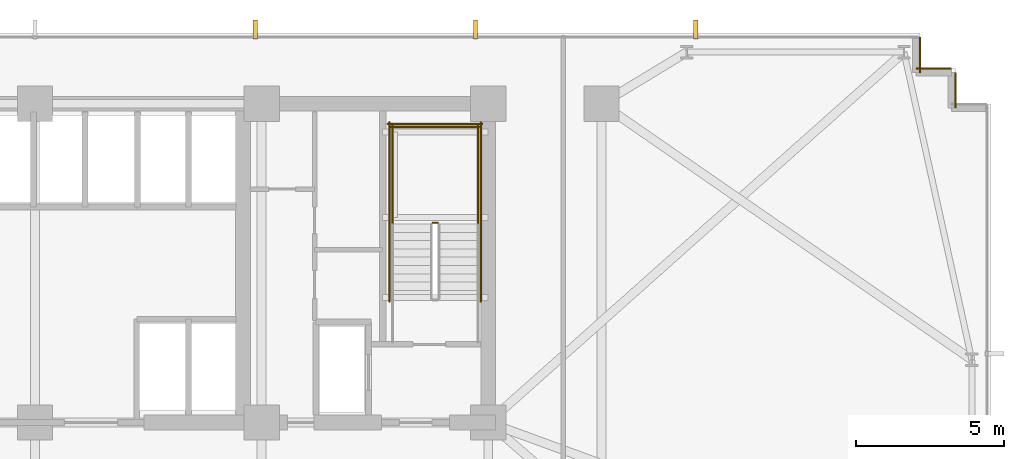
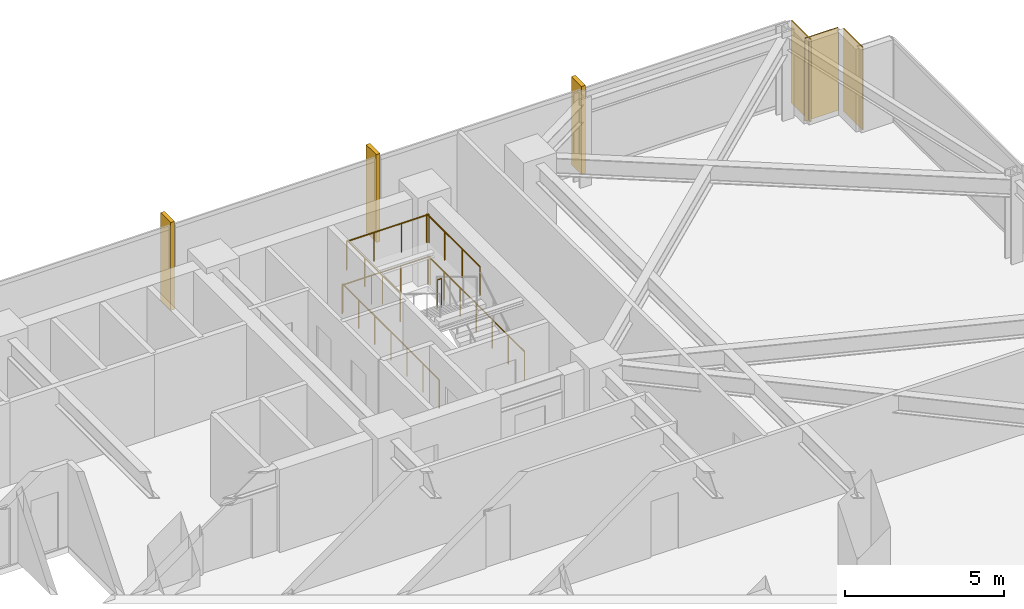
# One storey, part 31 of 32: 7 railings, 3 coverings, 3 shading devices.
"""IFC4 building model written with IfcOpenShell, lengths in metres."""

from ifc_helpers import new_model, si_unit, direction, frame, frame_2d, origin, origin_2d, place, context, subcontext, project, spatial, rectangle, circle, extrude, material, layer, layer_set, type_object, element, save


model = new_model("IFC4")

# Units and contexts
model_context = context("Model", 3, precision=1e-05, world=origin(), true_north=direction((0.0, 1.0)))
body_context = subcontext(model_context, "Body", "Model", "MODEL_VIEW")
ifc_project = project(units=[si_unit("LENGTHUNIT", "METRE"), si_unit("AREAUNIT", "SQUARE_METRE"), si_unit("VOLUMEUNIT", "CUBIC_METRE"), si_unit("PLANEANGLEUNIT", "RADIAN"), si_unit("MASSUNIT", "GRAM", prefix="KILO")], contexts=[model_context])

# Site, building, storey
site_placement = place(None, origin())
site = spatial("IfcSite", under=ifc_project, at=site_placement, CompositionType="ELEMENT")
building_placement = place(site_placement, origin())
building = spatial("IfcBuilding", under=site, at=building_placement, Name="Yelkora Congress Tower", CompositionType="ELEMENT")
storey_placement = place(building_placement, frame((0.0, 0.0, 67.800048828125)))
storey = spatial("IfcBuildingStorey", under=building, at=storey_placement, Name="L17", CompositionType="ELEMENT", Elevation=67.800048828125)

# Coverings
ifc_material_1 = material(Name="Anatolian bush-hammered limestone", Category="masonry")
ifc_layer_1 = layer(ifc_material_1, 0.0400390625)
ifc_layer_set_1 = layer_set([ifc_layer_1], Name="Anatolian bush-hammered limestone")
covering_type = type_object("IfcCoveringType", Name="COV-CLAD-SPANDREL-40", PredefinedType="CLADDING", material=ifc_layer_set_1)
for number, where, z_axis, x_axis, name in (
    (1, (68.39501953125, 48.4599609375, 0.0), (0.0, 0.0, 1.0), (0.0, -1.0, 0.0), "L17 Anatolian Limestone Cladding EW-L17-SR11"),
    (2, (68.260009765625, 47.39501953125, 0.0), (0.0, 0.0, 1.0), (1.0, 0.0, 0.0), "L17 Anatolian Limestone Cladding EW-L17-SR12"),
    (3, (69.594970703125, 47.260009765625, 0.0), (0.0, 0.0, 1.0), (0.0, -1.0, 0.0), "L17 Anatolian Limestone Cladding EW-L17-SR13"),
):
    element("IfcCovering", number, at=place(storey_placement, frame(where, z_axis=z_axis, x_axis=x_axis)), inside=storey, type_object=covering_type, Name=name, PredefinedType="CLADDING", context=body_context, shape_type="SweptSolid", body=[
        extrude(rectangle(XDim=1.199951171875, YDim=0.0400390625, at=frame_2d((0.60009765625, 0.0))), origin(), (0.0, 0.0, 1.0), 3.179931640625),
    ])

# Railings
ifc_material_2 = material(Name="Painted galvanised steel stair well guard with vertical infill", Category="steel")
ifc_layer_2 = layer(ifc_material_2, 0.06005859375)
ifc_layer_set_2 = layer_set([ifc_layer_2], Name="Painted galvanised steel stair well guard with vertical infill")
railing_type = type_object("IfcRailingType", Name="RAIL-STAIR-GUARD-1120", PredefinedType="GUARDRAIL", material=ifc_layer_set_2)
railing_1_placement = place(storey_placement, frame((52.0400390625, 42.169921875, 1.699951171875)))
element("IfcRailing", 4, at=railing_1_placement, inside=storey, type_object=railing_type, Name="ST-02 L17 Stair Well Guardrail 2", PredefinedType="GUARDRAIL", context=body_context, shape_type="SweptSolid", body=[
    extrude(circle(Radius=0.02392578125, at=origin_2d()), frame((0.0, 0.0, 1.09619140625), z_axis=(-1.0, 0.0, 0.0), x_axis=(0.0, -1.0, 0.0)), (0.0, 0.0, 1.0), 0.16015625),
    extrude(circle(Radius=0.02099609375, at=origin_2d()), origin(), (0.0, 0.0, 1.0), 1.072021484375),
    extrude(circle(Radius=0.02099609375, at=origin_2d()), frame((-0.16015625, 0.0, 0.0)), (0.0, 0.0, 1.0), 1.072021484375),
])
for number, where, name in (
    (5, (53.409912109375, 42.1201171875, 1.699951171875), "ST-02 L17 Stair Well Guardrail 3"),
    (6, (50.510009765625, 42.1201171875, 1.699951171875), "ST-02 L17 Stair Well Guardrail 4"),
):
    element("IfcRailing", number, at=place(storey_placement, frame(where)), inside=storey, type_object=railing_type, Name=name, PredefinedType="GUARDRAIL", context=body_context, shape_type="SweptSolid", body=[
        extrude(circle(Radius=0.02392578125, at=origin_2d()), frame((0.0, 0.0, 1.09619140625), z_axis=(0.0, 1.0, 0.0), x_axis=(-1.0, 0.0, 0.0)), (0.0, 0.0, 1.0), 3.349853515625),
        extrude(circle(Radius=0.02099609375, at=origin_2d()), origin(), (0.0, 0.0, 1.0), 1.072021484375),
        extrude(circle(Radius=0.02099609375, at=origin_2d()), frame((0.0, 1.11669921875, 0.0)), (0.0, 0.0, 1.0), 1.072021484375),
        extrude(circle(Radius=0.02099609375, at=origin_2d()), frame((0.0, 2.233154296875, 0.0)), (0.0, 0.0, 1.0), 1.072021484375),
        extrude(circle(Radius=0.02099609375, at=origin_2d()), frame((0.0, 3.349853515625, 0.0)), (0.0, 0.0, 1.0), 1.072021484375),
    ])
railing_2_placement = place(storey_placement, frame((53.4599609375, 45.419921875, 1.699951171875)))
element("IfcRailing", 7, at=railing_2_placement, inside=storey, type_object=railing_type, Name="ST-02 L17 Stair Well Guardrail 5", PredefinedType="GUARDRAIL", context=body_context, shape_type="SweptSolid", body=[
    extrude(circle(Radius=0.02392578125, at=origin_2d()), frame((0.0, 0.0, 1.09619140625), z_axis=(-1.0, 0.0, 0.0), x_axis=(0.0, -1.0, 0.0)), (0.0, 0.0, 1.0), 3.0),
    extrude(circle(Radius=0.02099609375, at=origin_2d()), origin(), (0.0, 0.0, 1.0), 1.072021484375),
    extrude(circle(Radius=0.02099609375, at=origin_2d()), frame((-1.0, 0.0, 0.0)), (0.0, 0.0, 1.0), 1.072021484375),
    extrude(circle(Radius=0.02099609375, at=origin_2d()), frame((-2.0, 0.0, 0.0)), (0.0, 0.0, 1.0), 1.072021484375),
    extrude(circle(Radius=0.02099609375, at=origin_2d()), frame((-3.0, 0.0, 0.0)), (0.0, 0.0, 1.0), 1.072021484375),
])
for number, where, name in (
    (8, (53.510009765625, 39.5, 0.0), "ST-02 L17 Stair Well Guardrail 10"),
    (9, (50.409912109375, 39.5, 0.0), "ST-02 L17 Stair Well Guardrail 11"),
):
    element("IfcRailing", number, at=place(storey_placement, frame(where)), inside=storey, type_object=railing_type, Name=name, PredefinedType="GUARDRAIL", context=body_context, shape_type="SweptSolid", body=[
        extrude(circle(Radius=0.02392578125, at=origin_2d()), frame((0.0, 0.0, 1.09619140625), z_axis=(0.0, 1.0, 0.0), x_axis=(-1.0, 0.0, 0.0)), (0.0, 0.0, 1.0), 6.070068359375),
        extrude(circle(Radius=0.02099609375, at=origin_2d()), origin(), (0.0, 0.0, 1.0), 1.072021484375),
        extrude(circle(Radius=0.02099609375, at=origin_2d()), frame((0.0, 1.01171875, 0.0)), (0.0, 0.0, 1.0), 1.072021484375),
        extrude(circle(Radius=0.02099609375, at=origin_2d()), frame((0.0, 2.0234375, 0.0)), (0.0, 0.0, 1.0), 1.072021484375),
        extrude(circle(Radius=0.02099609375, at=origin_2d()), frame((0.0, 3.03515625, 0.0)), (0.0, 0.0, 1.0), 1.072021484375),
        extrude(circle(Radius=0.02099609375, at=origin_2d()), frame((0.0, 4.046630859375, 0.0)), (0.0, 0.0, 1.0), 1.072021484375),
        extrude(circle(Radius=0.02099609375, at=origin_2d()), frame((0.0, 5.058349609375, 0.0)), (0.0, 0.0, 1.0), 1.072021484375),
        extrude(circle(Radius=0.02099609375, at=origin_2d()), frame((0.0, 6.070068359375, 0.0)), (0.0, 0.0, 1.0), 1.072021484375),
    ])
railing_3_placement = place(storey_placement, frame((53.56005859375, 45.52001953125, 0.0)))
element("IfcRailing", 10, at=railing_3_placement, inside=storey, type_object=railing_type, Name="ST-02 L17 Stair Well Guardrail 12", PredefinedType="GUARDRAIL", context=body_context, shape_type="SweptSolid", body=[
    extrude(circle(Radius=0.02392578125, at=origin_2d()), frame((0.0, 0.0, 1.09619140625), z_axis=(-1.0, 0.0, 0.0), x_axis=(0.0, -1.0, 0.0)), (0.0, 0.0, 1.0), 3.199951171875),
    extrude(circle(Radius=0.02099609375, at=origin_2d()), origin(), (0.0, 0.0, 1.0), 1.072021484375),
    extrude(circle(Radius=0.02099609375, at=origin_2d()), frame((-1.066650390625, 0.0, 0.0)), (0.0, 0.0, 1.0), 1.072021484375),
    extrude(circle(Radius=0.02099609375, at=origin_2d()), frame((-2.13330078125, 0.0, 0.0)), (0.0, 0.0, 1.0), 1.072021484375),
    extrude(circle(Radius=0.02099609375, at=origin_2d()), frame((-3.199951171875, 0.0, 0.0)), (0.0, 0.0, 1.0), 1.072021484375),
])

# Shading devices
ifc_material_3 = material(Name="Champagne anodised aluminium", Category="aluminium")
ifc_layer_3 = layer(ifc_material_3, 3.39990234375)
ifc_layer_set_3 = layer_set([ifc_layer_3], Name="Champagne anodised aluminium")
shading_device_type = type_object("IfcShadingDeviceType", Name="SHD-FIN-ALU-640", PredefinedType="USERDEFINED", material=ifc_layer_set_3)
for number, where, z_axis, x_axis, name in (
    (11, (45.864990234375, 48.719970703125, -0.030029296875), (0.0, 0.0, 1.0), (1.0, 0.0, 0.0), "L17 Vertical Anodised Solar Fin 10-5"),
    (12, (53.330078125, 48.719970703125, -0.030029296875), (0.0, 0.0, 1.0), (1.0, 0.0, 0.0), "L17 Vertical Anodised Solar Fin 10-6"),
    (13, (60.794921875, 48.719970703125, -0.030029296875), (0.0, 0.0, 1.0), (1.0, 0.0, 0.0), "L17 Vertical Anodised Solar Fin 10-7"),
):
    element("IfcShadingDevice", number, at=place(storey_placement, frame(where, z_axis=z_axis, x_axis=x_axis)), inside=storey, type_object=shading_device_type, Name=name, ObjectType="FIN", PredefinedType="USERDEFINED", context=body_context, shape_type="SweptSolid", body=[
        extrude(rectangle(XDim=0.139892578125, YDim=0.639892578125, at=origin_2d()), origin(), (0.0, 0.0, 1.0), 3.3798828125),
    ])

save(model, "model.ifc")
